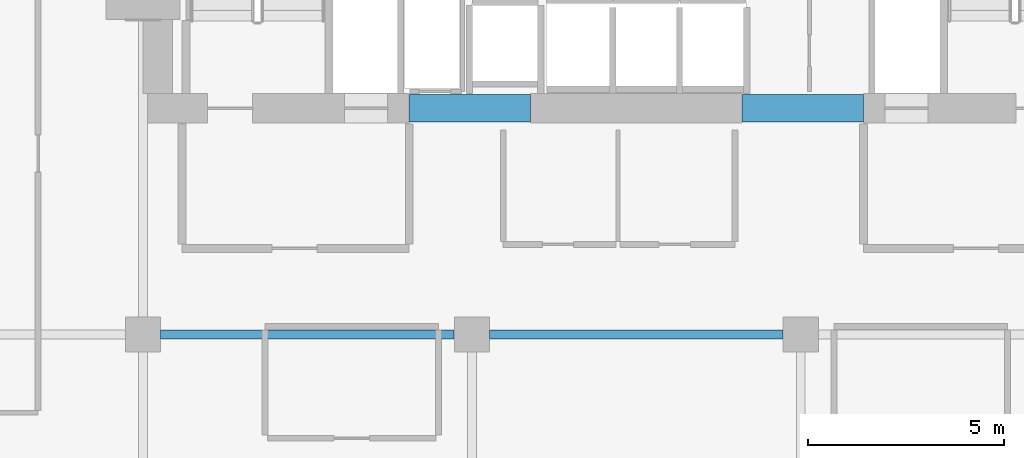
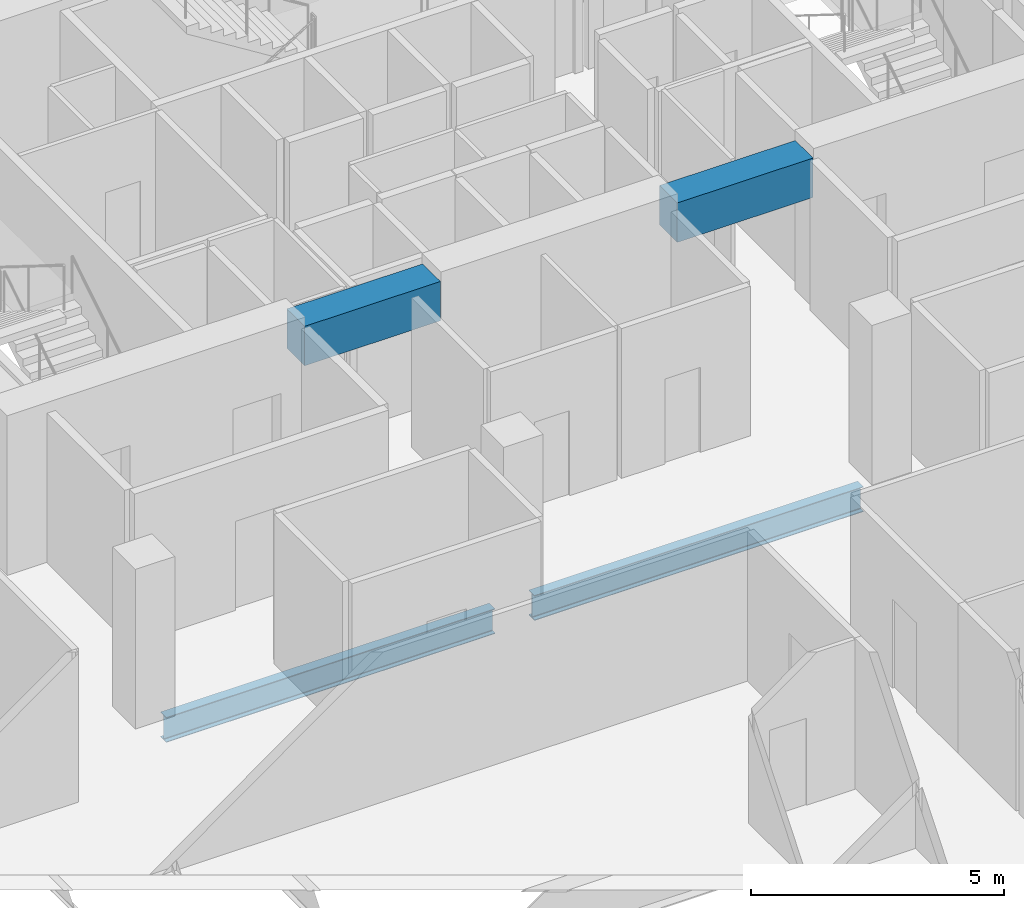
# One storey, part 21 of 33: 4 beams.
"""IFC4 building model written with IfcOpenShell, lengths in metres."""

from ifc_helpers import new_model, si_unit, direction, frame, origin, origin_2d, place, context, subcontext, project, spatial, rectangle, i_section, extrude, material, material_profile, profile_set, type_object, element, save


model = new_model("IFC4")

# Units and contexts
model_context = context("Model", 3, precision=1e-05, world=origin(), true_north=direction((0.0, 1.0)))
body_context = subcontext(model_context, "Body", "Model", "MODEL_VIEW")
ifc_project = project(units=[si_unit("LENGTHUNIT", "METRE"), si_unit("AREAUNIT", "SQUARE_METRE"), si_unit("VOLUMEUNIT", "CUBIC_METRE"), si_unit("PLANEANGLEUNIT", "RADIAN"), si_unit("MASSUNIT", "GRAM", prefix="KILO")], contexts=[model_context])

# Site, building, storey
site_placement = place(None, origin())
site = spatial("IfcSite", under=ifc_project, at=site_placement, CompositionType="ELEMENT")
building_placement = place(site_placement, origin())
building = spatial("IfcBuilding", under=site, at=building_placement, Name="Maruvema Waterfront Hotel and Observation Tower", CompositionType="ELEMENT")
storey_placement = place(building_placement, frame((0.0, 0.0, 169.75)))
storey = spatial("IfcBuildingStorey", under=building, at=storey_placement, Name="L41", CompositionType="ELEMENT", Elevation=169.75)

# Beams
ifc_material_1 = material(Name="Concrete C60/75", Category="concrete")
ifc_material_profile_1 = material_profile(ifc_material_1, rectangle(XDim=0.699951171875, YDim=0.949951171875, at=origin_2d()), Name="CB700x950")
ifc_profile_set_1 = profile_set([ifc_material_profile_1], Name="Concrete C60/75")
beam_type_1 = type_object("IfcBeamType", Name="Core Coupling Lintel Beam CB700x950", PredefinedType="LINTEL", material=ifc_profile_set_1)
for number, where, z_axis, x_axis, name in (
    (1, (32.0, 41.77490234375, 3.135009765625), (1.0, 0.0, 0.0), (0.0, 1.0, 0.0), "L41 Core Coupling Lintel Beam West"),
    (2, (40.5, 41.77490234375, 3.135009765625), (1.0, 0.0, 0.0), (0.0, 1.0, 0.0), "L41 Core Coupling Lintel Beam East"),
):
    element("IfcBeam", number, at=place(storey_placement, frame(where, z_axis=z_axis, x_axis=x_axis)), inside=storey, type_object=beam_type_1, Name=name, PredefinedType="LINTEL", context=body_context, shape_type="SweptSolid", body=[
        extrude(rectangle(XDim=0.699951171875, YDim=0.949951171875, at=origin_2d()), origin(), (0.0, 0.0, 1.0), 3.10009765625),
    ])
ifc_material_2 = material(Name="Steel ASTM A572 Grade 50", Category="steel")
ifc_material_profile_2 = material_profile(ifc_material_2, i_section(OverallWidth=0.22802734375, OverallDepth=0.60302734375, WebThickness=0.010498046875, FlangeThickness=0.014892578125, FilletRadius=0.01806640625, at=origin_2d()), Name="W610x101.0")
ifc_profile_set_2 = profile_set([ifc_material_profile_2], Name="Steel ASTM A572 Grade 50")
beam_type_2 = type_object("IfcBeamType", Name="Primary Floor Girder W610x101.0", PredefinedType="BEAM", material=ifc_profile_set_2)
for number, where, z_axis, x_axis, name in (
    (3, (25.64990234375, 36.0, -0.54150390625), (1.0, 0.0, 0.0), (0.0, 1.0, 0.0), "L41 Floor Girder EW-25"),
    (4, (34.050048828125, 36.0, -0.54150390625), (1.0, 0.0, 0.0), (0.0, 1.0, 0.0), "L41 Floor Girder EW-26"),
):
    element("IfcBeam", number, at=place(storey_placement, frame(where, z_axis=z_axis, x_axis=x_axis)), inside=storey, type_object=beam_type_2, Name=name, PredefinedType="BEAM", context=body_context, shape_type="SweptSolid", body=[
        extrude(i_section(OverallWidth=0.22802734375, OverallDepth=0.60302734375, WebThickness=0.010498046875, FlangeThickness=0.014892578125, FilletRadius=0.01806640625, at=origin_2d()), origin(), (0.0, 0.0, 1.0), 7.5),
    ])

save(model, "model.ifc")
